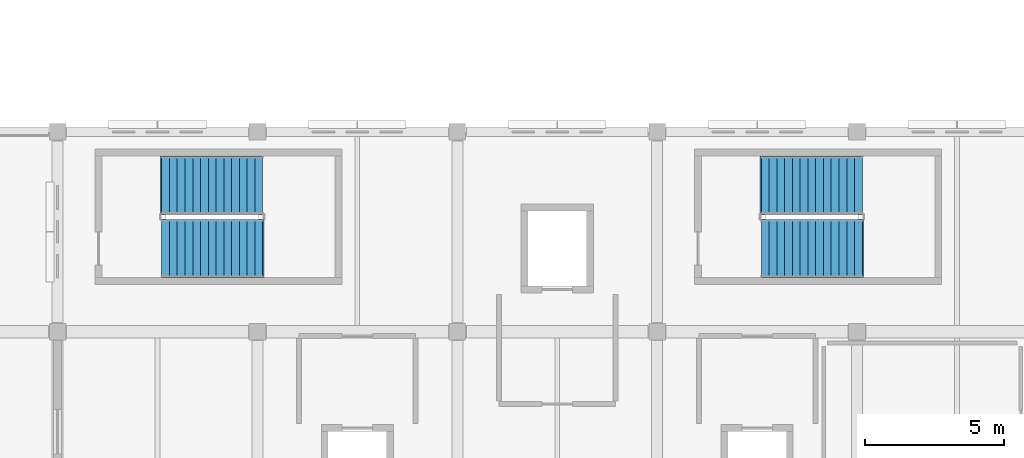
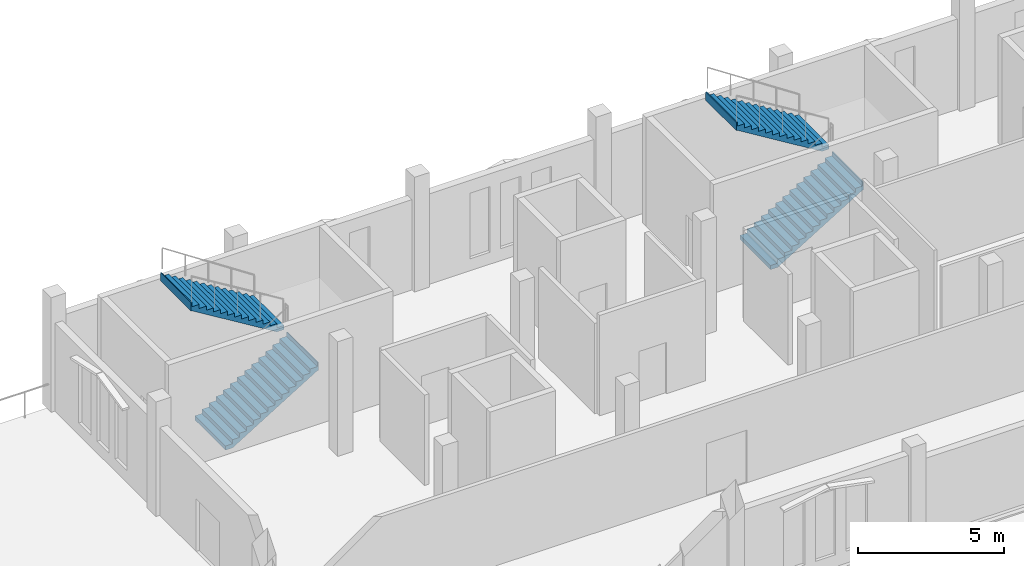
# One storey, part 14 of 23: 4 stair flights, 2 elements without a shape of their own.
"""IFC4 building model written with IfcOpenShell, lengths in metres."""

import ifcopenshell
import ifcopenshell.guid

model = None  # the IFC model being written
_history = None  # IfcOwnerHistory: only IFC2X3 demands one
_inside = {}  # id of a spatial element -> (the spatial element, [elements in it])
_under = {}  # id of a project, library or spatial element -> (it, [spatial elements below it])
_declared = {}  # id of a project -> (the project, [libraries it declares])
_typed = {}  # id of a type object -> (the type object, [elements of that type])
_made_of = {}  # id of a material, layer set ... -> (it, [elements and type objects made of it])


def new_model(schema):
    """Start an empty IFC model of exactly this schema.

    Asked for "IFC4X3", IfcOpenShell would pick the latest addendum, in which some entities
    have other attributes; the version numbers below select the first issue.
    IFC2X3 requires an IfcOwnerHistory on every rooted entity: one is made here for all.
    """
    global model, _history
    if schema == "IFC4X3":
        model = ifcopenshell.file(schema_version=(4, 3, 0, 0))
    else:
        model = ifcopenshell.file(schema=schema)
    _inside.clear()
    _under.clear()
    _declared.clear()
    _typed.clear()
    _made_of.clear()
    _history = None
    if model.schema == "IFC2X3":
        org = make("IfcOrganization", Name="unknown")
        user = make(
            "IfcPersonAndOrganization",
            ThePerson=make("IfcPerson", FamilyName="unknown"),
            TheOrganization=org,
        )
        app = make(
            "IfcApplication",
            ApplicationDeveloper=org,
            Version="unknown",
            ApplicationFullName="unknown",
            ApplicationIdentifier="unknown",
        )
        _history = make(
            "IfcOwnerHistory",
            OwningUser=user,
            OwningApplication=app,
            ChangeAction="ADDED",
            CreationDate=0,
        )
    return model


def make(cls, **values):
    """One entity of the class cls with the attributes given. An attribute that is None is left unset."""
    return model.create_entity(
        cls, **{name: value for name, value in values.items() if value is not None}
    )


def rooted(cls, **values):
    """An entity with a GlobalId (a new one), such as an element, a storey or a relation."""
    return make(cls, GlobalId=ifcopenshell.guid.new(), OwnerHistory=_history, **values)


def si_unit(unit_type, name, prefix=None):
    """IfcSIUnit, for example si_unit("LENGTHUNIT", "METRE", prefix="MILLI")."""
    return make("IfcSIUnit", UnitType=unit_type, Prefix=prefix, Name=name)


def assignment(units):
    """IfcUnitAssignment: the units of a project."""
    return None if units is None else make("IfcUnitAssignment", Units=units)


def point(xyz):
    """IfcCartesianPoint."""
    return None if xyz is None else make("IfcCartesianPoint", Coordinates=xyz)


def direction(xyz):
    """IfcDirection."""
    return None if xyz is None else make("IfcDirection", DirectionRatios=xyz)


def frame(location, z_axis=None, x_axis=None):
    """IfcAxis2Placement3D, a coordinate frame: its origin and axes. An axis left out is left unset."""
    return make(
        "IfcAxis2Placement3D",
        Location=point(location),
        Axis=direction(z_axis),
        RefDirection=direction(x_axis),
    )


def origin():
    """The frame at (0, 0, 0) with its axes left unset."""
    return frame((0.0, 0.0, 0.0))


def place(relative_to, where):
    """IfcLocalPlacement: puts the frame where relative to a parent placement (None: the world)."""
    return make(
        "IfcLocalPlacement", PlacementRelTo=relative_to, RelativePlacement=where
    )


def context(
    kind, dimensions, precision=None, world=None, true_north=None, identifier=None
):
    """IfcGeometricRepresentationContext, for example the 3D "Model" context."""
    return make(
        "IfcGeometricRepresentationContext",
        ContextIdentifier=identifier,
        ContextType=kind,
        CoordinateSpaceDimension=dimensions,
        Precision=precision,
        WorldCoordinateSystem=world,
        TrueNorth=true_north,
    )


def subcontext(parent, identifier, kind, view, scale=None):
    """IfcGeometricRepresentationSubContext, for example "Body" below "Model"."""
    return make(
        "IfcGeometricRepresentationSubContext",
        ContextIdentifier=identifier,
        ContextType=kind,
        ParentContext=parent,
        TargetScale=scale,
        TargetView=view,
    )


def project(units=None, contexts=None):
    """IfcProject with its units and contexts."""
    return rooted(
        "IfcProject",
        Name="project",
        RepresentationContexts=contexts,
        UnitsInContext=assignment(units),
    )


def spatial(cls, under=None, at=None, **own):
    """A site, building, storey or space (cls), placed at a placement, below another one or the project."""
    s = rooted(cls, ObjectPlacement=at, **own)
    if under is not None:
        _under.setdefault(under.id(), (under, []))[1].append(s)
    return s


def point_list(points):
    """IfcCartesianPointList2D or 3D."""
    cls = (
        "IfcCartesianPointList2D" if len(points[0]) == 2 else "IfcCartesianPointList3D"
    )
    return make(cls, CoordList=points)


def triangles(points, corners, closed=None, point_numbers=None):
    """IfcTriangulatedFaceSet: each triangle names its three corners, points numbered from 1."""
    return make(
        "IfcTriangulatedFaceSet",
        Coordinates=point_list(points),
        Closed=closed,
        CoordIndex=corners,
        PnIndex=point_numbers,
    )


def shape(context_of_items, identifier, shape_type, items):
    """IfcShapeRepresentation: the items that make up one representation, for example the "Body"."""
    return make(
        "IfcShapeRepresentation",
        ContextOfItems=context_of_items,
        RepresentationIdentifier=identifier,
        RepresentationType=shape_type,
        Items=items,
    )


def material(Name=None, Category=None):
    """IfcMaterial."""
    return make("IfcMaterial", Name=Name, Category=Category)


def made_of(thing, what):
    """Note that an element or type object is made of a material, layer set ...; save() writes the relation."""
    if what is not None:
        _made_of.setdefault(what.id(), (what, []))[1].append(thing)
    return thing


def type_object(cls, material=None, **own):
    """A type object (cls), such as IfcWallType, which elements share."""
    return made_of(rooted(cls, **own), material)


def element(
    cls,
    number,
    at=None,
    inside=None,
    cuts=None,
    type_object=None,
    material=None,
    context=None,
    identifier="Body",
    shape_type=None,
    held_by="IfcProductDefinitionShape",
    body=None,
    shapes=None,
    **own,
):
    """One element of the class cls, such as IfcWall. Its Tag is "e" and its number.

    at: its placement. inside: the storey or other place that contains it. cuts: it is an
    opening in that element (IfcRelVoidsElement). A single representation is given by context,
    identifier, shape_type and body (its items); several are given by shapes. held_by: the class
    of the entity that holds the representations. save() writes the other relations.
    """
    e = rooted(cls, Tag="e%d" % number, ObjectPlacement=at, **own)
    if body is not None:
        shapes = [shape(context, identifier, shape_type, body)]
    if shapes is not None:
        e.Representation = make(held_by, Representations=shapes)
    if inside is not None:
        _inside.setdefault(inside.id(), (inside, []))[1].append(e)
    if cuts is not None:
        rooted(
            "IfcRelVoidsElement", RelatingBuildingElement=cuts, RelatedOpeningElement=e
        )
    if type_object is not None:
        _typed.setdefault(type_object.id(), (type_object, []))[1].append(e)
    return made_of(e, material)


def aggregate(whole, parts):
    """IfcRelAggregates: a whole, such as a stair, and the parts it consists of."""
    return rooted("IfcRelAggregates", RelatingObject=whole, RelatedObjects=parts)


def save(model, path):
    """Write the relations noted so far, then the file.

    IfcRelAggregates (storeys below a building ...), IfcRelContainedInSpatialStructure (elements
    in a storey), IfcRelDefinesByType, IfcRelAssociatesMaterial and IfcRelDeclares: one each for
    every whole, place, type object, material and project.
    """
    for whole, parts in _under.values():
        aggregate(whole, parts)
    for where, things in _inside.values():
        rooted(
            "IfcRelContainedInSpatialStructure",
            RelatedElements=things,
            RelatingStructure=where,
        )
    for kind, things in _typed.values():
        rooted("IfcRelDefinesByType", RelatedObjects=things, RelatingType=kind)
    for what, things in _made_of.values():
        rooted("IfcRelAssociatesMaterial", RelatedObjects=things, RelatingMaterial=what)
    for by, libraries in _declared.values():
        rooted("IfcRelDeclares", RelatingContext=by, RelatedDefinitions=libraries)
    model.write(path)


model = new_model("IFC4")

# Units and contexts
model_context = context("Model", 3, precision=1e-05, world=origin(), true_north=direction((0.0, 1.0)))
body_context = subcontext(model_context, "Body", "Model", "MODEL_VIEW")
ifc_project = project(units=[si_unit("LENGTHUNIT", "METRE"), si_unit("AREAUNIT", "SQUARE_METRE"), si_unit("VOLUMEUNIT", "CUBIC_METRE"), si_unit("PLANEANGLEUNIT", "RADIAN"), si_unit("MASSUNIT", "GRAM", prefix="KILO")], contexts=[model_context])

# Site, building, storey
site_placement = place(None, origin())
site = spatial("IfcSite", under=ifc_project, at=site_placement, CompositionType="ELEMENT")
building_placement = place(site_placement, origin())
building = spatial("IfcBuilding", under=site, at=building_placement, Name="Cendralis Lancet Convention Centre", CompositionType="ELEMENT")
storey_placement = place(building_placement, frame((0.0, 0.0, 19.800048828125)))
storey = spatial("IfcBuildingStorey", under=building, at=storey_placement, Name="L04", CompositionType="ELEMENT", Elevation=19.800048828125)

# Stair, stair flights
ifc_material = material(Name="Concrete G35 (C35/45)", Category="concrete")
stair_type = type_object("IfcStairType", Name="ARC-ST-CORE", PredefinedType="HALF_TURN_STAIR", material=ifc_material)
stair_1_placement = place(storey_placement, origin())
stair_1 = element("IfcStair", 1, at=stair_1_placement, inside=storey, type_object=stair_type, Name="L04 Protected Exit Stair ST-13", PredefinedType="HALF_TURN_STAIR")
stair_flight_type = type_object("IfcStairFlightType", Name="ARC-SF-CORE", PredefinedType="STRAIGHT", material=ifc_material)
stair_flight_1_placement = place(storey_placement, frame((150.14990234375, 31.800048828125, 0.0), z_axis=(0.0, 0.0, 1.0), x_axis=(1.0, 0.0, 0.0)))
stair_flight_1 = element("IfcStairFlight", 2, at=stair_flight_1_placement, type_object=stair_flight_type, Name="ST-13 flight 1", NumberOfRisers=14, NumberOfTreads=13, PredefinedType="STRAIGHT", RiserHeight=0.171428571, TreadLength=0.28, context=body_context, shape_type="Tessellation", body=[
    triangles([(0.0, 0.0, 0.085714), (0.0, 1.050049, 0.0), (0.0, -1.050049, 0.0), (0.0, -1.050049, 0.171429), (0.0, 1.050049, 0.171429), (0.14, 0.0, 0.171429), (0.28, -1.050049, 0.171429), (0.28, 1.050049, 0.171429), (0.14, 0.0, 0.0), (0.28, -1.050049, 0.0), (0.28, 1.050049, 0.0), (0.28, 0.0, 0.257143), (0.28, -1.050049, 0.342857), (0.28, 1.050049, 0.342857), (0.283543, 0.0, 0.342857), (0.287085, -1.050049, 0.342857), (0.287085, 1.050049, 0.342857), (0.283543, 0.0, 0.0), (0.287085, -1.050049, 0.0), (0.287085, 1.050049, 0.0), (0.423543, 0.0, 0.342857), (0.56, -1.050049, 0.342857), (0.56, 1.050049, 0.342857), (0.423543, 0.0, 0.083545), (0.56, -1.050049, 0.167091), (0.56, 1.050049, 0.167091), (0.56, 0.0, 0.428572), (0.56, -1.050049, 0.514286), (0.56, 1.050049, 0.514286), (0.7, 0.0, 0.514286), (0.84, -1.050049, 0.514286), (0.84, 1.050049, 0.514286), (0.7, 0.0, 0.252806), (0.84, -1.050049, 0.33852), (0.84, 1.050049, 0.33852), (0.84, 0.0, 0.6), (0.84, -1.050049, 0.685714), (0.84, 1.050049, 0.685714), (0.98, 0.0, 0.685714), (1.12, -1.050049, 0.685714), (1.12, 1.050049, 0.685714), (0.98, 0.0, 0.424234), (1.12, -1.050049, 0.509948), (1.12, 1.050049, 0.509948), (1.12, 0.0, 0.771429), (1.12, -1.050049, 0.857143), (1.12, 1.050049, 0.857143), (1.26, 0.0, 0.857143), (1.4, -1.050049, 0.857143), (1.4, 1.050049, 0.857143), (1.26, 0.0, 0.595662), (1.4, -1.050049, 0.681377), (1.4, 1.050049, 0.681377), (1.4, 0.0, 0.942857), (1.4, -1.050049, 1.028571), (1.4, 1.050049, 1.028571), (1.54, 0.0, 1.028571), (1.68, -1.050049, 1.028571), (1.68, 1.050049, 1.028571), (1.54, 0.0, 0.767091), (1.68, -1.050049, 0.852805), (1.68, 1.050049, 0.852805), (1.68, 0.0, 1.114286), (1.68, -1.050049, 1.2), (1.68, 1.050049, 1.2), (1.82, 0.0, 1.2), (1.96, -1.050049, 1.2), (1.96, 1.050049, 1.2), (1.82, 0.0, 0.938519), (1.96, -1.050049, 1.024234), (1.96, 1.050049, 1.024234), (1.96, 0.0, 1.285715), (1.96, -1.050049, 1.371429), (1.96, 1.050049, 1.371429), (2.1, 0.0, 1.371429), (2.24, -1.050049, 1.371429), (2.24, 1.050049, 1.371429), (2.1, 0.0, 1.109948), (2.24, -1.050049, 1.195662), (2.24, 1.050049, 1.195662), (2.24, 0.0, 1.457143), (2.24, -1.050049, 1.542857), (2.24, 1.050049, 1.542857), (2.38, 0.0, 1.542857), (2.52, -1.050049, 1.542857), (2.52, 1.050049, 1.542857), (2.38, 0.0, 1.281376), (2.52, -1.050049, 1.367091), (2.52, 1.050049, 1.367091), (2.52, 0.0, 1.628572), (2.52, -1.050049, 1.714286), (2.52, 1.050049, 1.714286), (2.66, 0.0, 1.714286), (2.8, -1.050049, 1.714286), (2.8, 1.050049, 1.714286), (2.66, 0.0, 1.452806), (2.8, -1.050049, 1.53852), (2.8, 1.050049, 1.53852), (2.8, 0.0, 1.8), (2.8, -1.050049, 1.885714), (2.8, 1.050049, 1.885714), (2.94, 0.0, 1.885714), (3.08, -1.050049, 1.885714), (3.08, 1.050049, 1.885714), (2.94, 0.0, 1.624234), (3.08, -1.050049, 1.709948), (3.08, 1.050049, 1.709948), (3.08, 0.0, 1.971429), (3.08, -1.050049, 2.057143), (3.08, 1.050049, 2.057143), (3.22, 0.0, 2.057143), (3.36, -1.050049, 2.057143), (3.36, 1.050049, 2.057143), (3.22, 0.0, 1.795663), (3.36, -1.050049, 1.881377), (3.36, 1.050049, 1.881377), (3.36, 0.0, 2.142857), (3.36, -1.050049, 2.228571), (3.36, 1.050049, 2.228571), (3.5, 0.0, 2.228571), (3.64, -1.050049, 2.228571), (3.64, 1.050049, 2.228571), (3.5, 0.0, 1.967091), (3.64, -1.050049, 2.052805), (3.64, 1.050049, 2.052805), (3.64, 0.0, 2.314285), (3.64, -1.050049, 2.4), (3.64, 1.050049, 2.4), (3.66, 0.0, 2.4), (3.68, -1.050049, 2.4), (3.68, 1.050049, 2.4), (3.66, 0.0, 2.052805), (3.68, -1.050049, 2.052805), (3.68, 1.050049, 2.052805), (3.68, 0.0, 2.226403)], [[2, 3, 1], [3, 4, 1], [4, 5, 1], [5, 2, 1], [4, 7, 6], [7, 8, 6], [8, 5, 6], [5, 4, 6], [10, 3, 9], [3, 2, 9], [2, 11, 9], [11, 10, 9], [3, 10, 7], [3, 7, 4], [2, 8, 11], [2, 5, 8], [8, 7, 12], [7, 13, 12], [13, 14, 12], [14, 8, 12], [13, 16, 15], [16, 17, 15], [17, 14, 15], [14, 13, 15], [19, 10, 18], [10, 11, 18], [11, 20, 18], [20, 19, 18], [10, 19, 16], [10, 16, 7], [7, 16, 13], [11, 17, 20], [11, 8, 17], [8, 14, 17], [16, 22, 21], [22, 23, 21], [23, 17, 21], [17, 16, 21], [25, 19, 24], [19, 20, 24], [20, 26, 24], [26, 25, 24], [19, 25, 22], [19, 22, 16], [20, 23, 26], [20, 17, 23], [23, 22, 27], [22, 28, 27], [28, 29, 27], [29, 23, 27], [28, 31, 30], [31, 32, 30], [32, 29, 30], [29, 28, 30], [34, 25, 33], [25, 26, 33], [26, 35, 33], [35, 34, 33], [25, 34, 31], [25, 31, 22], [22, 31, 28], [26, 32, 35], [26, 23, 32], [23, 29, 32], [32, 31, 36], [31, 37, 36], [37, 38, 36], [38, 32, 36], [37, 40, 39], [40, 41, 39], [41, 38, 39], [38, 37, 39], [43, 34, 42], [34, 35, 42], [35, 44, 42], [44, 43, 42], [34, 43, 40], [34, 40, 31], [31, 40, 37], [35, 41, 44], [35, 32, 41], [32, 38, 41], [41, 40, 45], [40, 46, 45], [46, 47, 45], [47, 41, 45], [46, 49, 48], [49, 50, 48], [50, 47, 48], [47, 46, 48], [52, 43, 51], [43, 44, 51], [44, 53, 51], [53, 52, 51], [43, 52, 49], [43, 49, 40], [40, 49, 46], [44, 50, 53], [44, 41, 50], [41, 47, 50], [50, 49, 54], [49, 55, 54], [55, 56, 54], [56, 50, 54], [55, 58, 57], [58, 59, 57], [59, 56, 57], [56, 55, 57], [61, 52, 60], [52, 53, 60], [53, 62, 60], [62, 61, 60], [52, 61, 58], [52, 58, 49], [49, 58, 55], [53, 59, 62], [53, 50, 59], [50, 56, 59], [59, 58, 63], [58, 64, 63], [64, 65, 63], [65, 59, 63], [64, 67, 66], [67, 68, 66], [68, 65, 66], [65, 64, 66], [70, 61, 69], [61, 62, 69], [62, 71, 69], [71, 70, 69], [61, 70, 67], [61, 67, 58], [58, 67, 64], [62, 68, 71], [62, 59, 68], [59, 65, 68], [68, 67, 72], [67, 73, 72], [73, 74, 72], [74, 68, 72], [73, 76, 75], [76, 77, 75], [77, 74, 75], [74, 73, 75], [79, 70, 78], [70, 71, 78], [71, 80, 78], [80, 79, 78], [70, 79, 76], [70, 76, 67], [67, 76, 73], [71, 77, 80], [71, 68, 77], [68, 74, 77], [77, 76, 81], [76, 82, 81], [82, 83, 81], [83, 77, 81], [82, 85, 84], [85, 86, 84], [86, 83, 84], [83, 82, 84], [88, 79, 87], [79, 80, 87], [80, 89, 87], [89, 88, 87], [79, 88, 85], [79, 85, 76], [76, 85, 82], [80, 86, 89], [80, 77, 86], [77, 83, 86], [86, 85, 90], [85, 91, 90], [91, 92, 90], [92, 86, 90], [91, 94, 93], [94, 95, 93], [95, 92, 93], [92, 91, 93], [97, 88, 96], [88, 89, 96], [89, 98, 96], [98, 97, 96], [88, 97, 94], [88, 94, 85], [85, 94, 91], [89, 95, 98], [89, 86, 95], [86, 92, 95], [95, 94, 99], [94, 100, 99], [100, 101, 99], [101, 95, 99], [100, 103, 102], [103, 104, 102], [104, 101, 102], [101, 100, 102], [106, 97, 105], [97, 98, 105], [98, 107, 105], [107, 106, 105], [97, 106, 103], [97, 103, 94], [94, 103, 100], [98, 104, 107], [98, 95, 104], [95, 101, 104], [104, 103, 108], [103, 109, 108], [109, 110, 108], [110, 104, 108], [109, 112, 111], [112, 113, 111], [113, 110, 111], [110, 109, 111], [115, 106, 114], [106, 107, 114], [107, 116, 114], [116, 115, 114], [106, 115, 112], [106, 112, 103], [103, 112, 109], [107, 113, 116], [107, 104, 113], [104, 110, 113], [113, 112, 117], [112, 118, 117], [118, 119, 117], [119, 113, 117], [118, 121, 120], [121, 122, 120], [122, 119, 120], [119, 118, 120], [124, 115, 123], [115, 116, 123], [116, 125, 123], [125, 124, 123], [115, 124, 121], [115, 121, 112], [112, 121, 118], [116, 122, 125], [116, 113, 122], [113, 119, 122], [122, 121, 126], [121, 127, 126], [127, 128, 126], [128, 122, 126], [127, 130, 129], [130, 131, 129], [131, 128, 129], [128, 127, 129], [133, 124, 132], [124, 125, 132], [125, 134, 132], [134, 133, 132], [124, 133, 130], [124, 130, 121], [121, 130, 127], [125, 131, 134], [125, 122, 131], [122, 128, 131], [133, 134, 135], [134, 131, 135], [131, 130, 135], [130, 133, 135]], closed=True),
])
stair_flight_2_placement = place(storey_placement, frame((153.7900390625, 34.080078125, 2.39990234375), z_axis=(0.0, 0.0, 1.0), x_axis=(-1.0, 0.0, 0.0)))
stair_flight_2 = element("IfcStairFlight", 3, at=stair_flight_2_placement, type_object=stair_flight_type, Name="ST-13 flight 2", NumberOfRisers=14, NumberOfTreads=13, PredefinedType="STRAIGHT", RiserHeight=0.171428571, TreadLength=0.28, context=body_context, shape_type="Tessellation", body=[
    triangles([(0.0, 0.0, 0.085714), (0.0, 1.050049, 0.0), (0.0, -1.050049, 0.0), (0.0, -1.050049, 0.171429), (0.0, 1.050049, 0.171429), (0.14, 0.0, 0.171429), (0.28, -1.050049, 0.171429), (0.28, 1.050049, 0.171429), (0.14, 0.0, 0.0), (0.28, -1.050049, 0.0), (0.28, 1.050049, 0.0), (0.28, 0.0, 0.257143), (0.28, -1.050049, 0.342857), (0.28, 1.050049, 0.342857), (0.283543, 0.0, 0.342857), (0.287085, -1.050049, 0.342857), (0.287085, 1.050049, 0.342857), (0.283543, 0.0, 0.0), (0.287085, -1.050049, 0.0), (0.287085, 1.050049, 0.0), (0.423543, 0.0, 0.342857), (0.56, -1.050049, 0.342857), (0.56, 1.050049, 0.342857), (0.423543, 0.0, 0.083545), (0.56, -1.050049, 0.167091), (0.56, 1.050049, 0.167091), (0.56, 0.0, 0.428572), (0.56, -1.050049, 0.514286), (0.56, 1.050049, 0.514286), (0.7, 0.0, 0.514286), (0.84, -1.050049, 0.514286), (0.84, 1.050049, 0.514286), (0.7, 0.0, 0.252806), (0.84, -1.050049, 0.33852), (0.84, 1.050049, 0.33852), (0.84, 0.0, 0.6), (0.84, -1.050049, 0.685714), (0.84, 1.050049, 0.685714), (0.98, 0.0, 0.685714), (1.12, -1.050049, 0.685714), (1.12, 1.050049, 0.685714), (0.98, 0.0, 0.424234), (1.12, -1.050049, 0.509948), (1.12, 1.050049, 0.509948), (1.12, 0.0, 0.771429), (1.12, -1.050049, 0.857143), (1.12, 1.050049, 0.857143), (1.26, 0.0, 0.857143), (1.4, -1.050049, 0.857143), (1.4, 1.050049, 0.857143), (1.26, 0.0, 0.595662), (1.4, -1.050049, 0.681377), (1.4, 1.050049, 0.681377), (1.4, 0.0, 0.942857), (1.4, -1.050049, 1.028571), (1.4, 1.050049, 1.028571), (1.54, 0.0, 1.028571), (1.68, -1.050049, 1.028571), (1.68, 1.050049, 1.028571), (1.54, 0.0, 0.767091), (1.68, -1.050049, 0.852805), (1.68, 1.050049, 0.852805), (1.68, 0.0, 1.114286), (1.68, -1.050049, 1.2), (1.68, 1.050049, 1.2), (1.82, 0.0, 1.2), (1.96, -1.050049, 1.2), (1.96, 1.050049, 1.2), (1.82, 0.0, 0.938519), (1.96, -1.050049, 1.024234), (1.96, 1.050049, 1.024234), (1.96, 0.0, 1.285715), (1.96, -1.050049, 1.371429), (1.96, 1.050049, 1.371429), (2.1, 0.0, 1.371429), (2.24, -1.050049, 1.371429), (2.24, 1.050049, 1.371429), (2.1, 0.0, 1.109948), (2.24, -1.050049, 1.195662), (2.24, 1.050049, 1.195662), (2.24, 0.0, 1.457143), (2.24, -1.050049, 1.542857), (2.24, 1.050049, 1.542857), (2.38, 0.0, 1.542857), (2.52, -1.050049, 1.542857), (2.52, 1.050049, 1.542857), (2.38, 0.0, 1.281376), (2.52, -1.050049, 1.367091), (2.52, 1.050049, 1.367091), (2.52, 0.0, 1.628572), (2.52, -1.050049, 1.714286), (2.52, 1.050049, 1.714286), (2.66, 0.0, 1.714286), (2.8, -1.050049, 1.714286), (2.8, 1.050049, 1.714286), (2.66, 0.0, 1.452806), (2.8, -1.050049, 1.53852), (2.8, 1.050049, 1.53852), (2.8, 0.0, 1.8), (2.8, -1.050049, 1.885714), (2.8, 1.050049, 1.885714), (2.94, 0.0, 1.885714), (3.08, -1.050049, 1.885714), (3.08, 1.050049, 1.885714), (2.94, 0.0, 1.624234), (3.08, -1.050049, 1.709948), (3.08, 1.050049, 1.709948), (3.08, 0.0, 1.971429), (3.08, -1.050049, 2.057143), (3.08, 1.050049, 2.057143), (3.22, 0.0, 2.057143), (3.36, -1.050049, 2.057143), (3.36, 1.050049, 2.057143), (3.22, 0.0, 1.795663), (3.36, -1.050049, 1.881377), (3.36, 1.050049, 1.881377), (3.36, 0.0, 2.142857), (3.36, -1.050049, 2.228571), (3.36, 1.050049, 2.228571), (3.5, 0.0, 2.228571), (3.64, -1.050049, 2.228571), (3.64, 1.050049, 2.228571), (3.5, 0.0, 1.967091), (3.64, -1.050049, 2.052805), (3.64, 1.050049, 2.052805), (3.64, 0.0, 2.314285), (3.64, -1.050049, 2.4), (3.64, 1.050049, 2.4), (3.66, 0.0, 2.4), (3.68, -1.050049, 2.4), (3.68, 1.050049, 2.4), (3.66, 0.0, 2.052805), (3.68, -1.050049, 2.052805), (3.68, 1.050049, 2.052805), (3.68, 0.0, 2.226403)], [[2, 3, 1], [3, 4, 1], [4, 5, 1], [5, 2, 1], [4, 7, 6], [7, 8, 6], [8, 5, 6], [5, 4, 6], [10, 3, 9], [3, 2, 9], [2, 11, 9], [11, 10, 9], [3, 10, 7], [3, 7, 4], [2, 8, 11], [2, 5, 8], [8, 7, 12], [7, 13, 12], [13, 14, 12], [14, 8, 12], [13, 16, 15], [16, 17, 15], [17, 14, 15], [14, 13, 15], [19, 10, 18], [10, 11, 18], [11, 20, 18], [20, 19, 18], [10, 19, 16], [10, 16, 7], [7, 16, 13], [11, 17, 20], [11, 8, 17], [8, 14, 17], [16, 22, 21], [22, 23, 21], [23, 17, 21], [17, 16, 21], [25, 19, 24], [19, 20, 24], [20, 26, 24], [26, 25, 24], [19, 25, 22], [19, 22, 16], [20, 23, 26], [20, 17, 23], [23, 22, 27], [22, 28, 27], [28, 29, 27], [29, 23, 27], [28, 31, 30], [31, 32, 30], [32, 29, 30], [29, 28, 30], [34, 25, 33], [25, 26, 33], [26, 35, 33], [35, 34, 33], [25, 34, 31], [25, 31, 22], [22, 31, 28], [26, 32, 35], [26, 23, 32], [23, 29, 32], [32, 31, 36], [31, 37, 36], [37, 38, 36], [38, 32, 36], [37, 40, 39], [40, 41, 39], [41, 38, 39], [38, 37, 39], [43, 34, 42], [34, 35, 42], [35, 44, 42], [44, 43, 42], [34, 43, 40], [34, 40, 31], [31, 40, 37], [35, 41, 44], [35, 32, 41], [32, 38, 41], [41, 40, 45], [40, 46, 45], [46, 47, 45], [47, 41, 45], [46, 49, 48], [49, 50, 48], [50, 47, 48], [47, 46, 48], [52, 43, 51], [43, 44, 51], [44, 53, 51], [53, 52, 51], [43, 52, 49], [43, 49, 40], [40, 49, 46], [44, 50, 53], [44, 41, 50], [41, 47, 50], [50, 49, 54], [49, 55, 54], [55, 56, 54], [56, 50, 54], [55, 58, 57], [58, 59, 57], [59, 56, 57], [56, 55, 57], [61, 52, 60], [52, 53, 60], [53, 62, 60], [62, 61, 60], [52, 61, 58], [52, 58, 49], [49, 58, 55], [53, 59, 62], [53, 50, 59], [50, 56, 59], [59, 58, 63], [58, 64, 63], [64, 65, 63], [65, 59, 63], [64, 67, 66], [67, 68, 66], [68, 65, 66], [65, 64, 66], [70, 61, 69], [61, 62, 69], [62, 71, 69], [71, 70, 69], [61, 70, 67], [61, 67, 58], [58, 67, 64], [62, 68, 71], [62, 59, 68], [59, 65, 68], [68, 67, 72], [67, 73, 72], [73, 74, 72], [74, 68, 72], [73, 76, 75], [76, 77, 75], [77, 74, 75], [74, 73, 75], [79, 70, 78], [70, 71, 78], [71, 80, 78], [80, 79, 78], [70, 79, 76], [70, 76, 67], [67, 76, 73], [71, 77, 80], [71, 68, 77], [68, 74, 77], [77, 76, 81], [76, 82, 81], [82, 83, 81], [83, 77, 81], [82, 85, 84], [85, 86, 84], [86, 83, 84], [83, 82, 84], [88, 79, 87], [79, 80, 87], [80, 89, 87], [89, 88, 87], [79, 88, 85], [79, 85, 76], [76, 85, 82], [80, 86, 89], [80, 77, 86], [77, 83, 86], [86, 85, 90], [85, 91, 90], [91, 92, 90], [92, 86, 90], [91, 94, 93], [94, 95, 93], [95, 92, 93], [92, 91, 93], [97, 88, 96], [88, 89, 96], [89, 98, 96], [98, 97, 96], [88, 97, 94], [88, 94, 85], [85, 94, 91], [89, 95, 98], [89, 86, 95], [86, 92, 95], [95, 94, 99], [94, 100, 99], [100, 101, 99], [101, 95, 99], [100, 103, 102], [103, 104, 102], [104, 101, 102], [101, 100, 102], [106, 97, 105], [97, 98, 105], [98, 107, 105], [107, 106, 105], [97, 106, 103], [97, 103, 94], [94, 103, 100], [98, 104, 107], [98, 95, 104], [95, 101, 104], [104, 103, 108], [103, 109, 108], [109, 110, 108], [110, 104, 108], [109, 112, 111], [112, 113, 111], [113, 110, 111], [110, 109, 111], [115, 106, 114], [106, 107, 114], [107, 116, 114], [116, 115, 114], [106, 115, 112], [106, 112, 103], [103, 112, 109], [107, 113, 116], [107, 104, 113], [104, 110, 113], [113, 112, 117], [112, 118, 117], [118, 119, 117], [119, 113, 117], [118, 121, 120], [121, 122, 120], [122, 119, 120], [119, 118, 120], [124, 115, 123], [115, 116, 123], [116, 125, 123], [125, 124, 123], [115, 124, 121], [115, 121, 112], [112, 121, 118], [116, 122, 125], [116, 113, 122], [113, 119, 122], [122, 121, 126], [121, 127, 126], [127, 128, 126], [128, 122, 126], [127, 130, 129], [130, 131, 129], [131, 128, 129], [128, 127, 129], [133, 124, 132], [124, 125, 132], [125, 134, 132], [134, 133, 132], [124, 133, 130], [124, 130, 121], [121, 130, 127], [125, 131, 134], [125, 122, 131], [122, 128, 131], [133, 134, 135], [134, 131, 135], [131, 130, 135], [130, 133, 135]], closed=True),
])
aggregate(stair_1, [stair_flight_1, stair_flight_2])

stair_2_placement = place(storey_placement, origin())
stair_2 = element("IfcStair", 4, at=stair_2_placement, inside=storey, type_object=stair_type, Name="L04 Protected Exit Stair ST-14", PredefinedType="HALF_TURN_STAIR")
stair_flight_3_placement = place(storey_placement, frame((171.75, 31.800048828125, 0.0), z_axis=(0.0, 0.0, 1.0), x_axis=(1.0, 0.0, 0.0)))
stair_flight_3 = element("IfcStairFlight", 5, at=stair_flight_3_placement, type_object=stair_flight_type, Name="ST-14 flight 1", NumberOfRisers=14, NumberOfTreads=13, PredefinedType="STRAIGHT", RiserHeight=0.171428571, TreadLength=0.28, context=body_context, shape_type="Tessellation", body=[
    triangles([(0.0, 0.0, 0.085714), (0.0, 1.050049, 0.0), (0.0, -1.050049, 0.0), (0.0, -1.050049, 0.171429), (0.0, 1.050049, 0.171429), (0.14, 0.0, 0.171429), (0.28, -1.050049, 0.171429), (0.28, 1.050049, 0.171429), (0.14, 0.0, 0.0), (0.28, -1.050049, 0.0), (0.28, 1.050049, 0.0), (0.28, 0.0, 0.257143), (0.28, -1.050049, 0.342857), (0.28, 1.050049, 0.342857), (0.283543, 0.0, 0.342857), (0.287085, -1.050049, 0.342857), (0.287085, 1.050049, 0.342857), (0.283543, 0.0, 0.0), (0.287085, -1.050049, 0.0), (0.287085, 1.050049, 0.0), (0.423543, 0.0, 0.342857), (0.56, -1.050049, 0.342857), (0.56, 1.050049, 0.342857), (0.423543, 0.0, 0.083545), (0.56, -1.050049, 0.167091), (0.56, 1.050049, 0.167091), (0.56, 0.0, 0.428572), (0.56, -1.050049, 0.514286), (0.56, 1.050049, 0.514286), (0.7, 0.0, 0.514286), (0.84, -1.050049, 0.514286), (0.84, 1.050049, 0.514286), (0.7, 0.0, 0.252806), (0.84, -1.050049, 0.33852), (0.84, 1.050049, 0.33852), (0.84, 0.0, 0.6), (0.84, -1.050049, 0.685714), (0.84, 1.050049, 0.685714), (0.98, 0.0, 0.685714), (1.12, -1.050049, 0.685714), (1.12, 1.050049, 0.685714), (0.98, 0.0, 0.424234), (1.12, -1.050049, 0.509948), (1.12, 1.050049, 0.509948), (1.12, 0.0, 0.771429), (1.12, -1.050049, 0.857143), (1.12, 1.050049, 0.857143), (1.26, 0.0, 0.857143), (1.4, -1.050049, 0.857143), (1.4, 1.050049, 0.857143), (1.26, 0.0, 0.595662), (1.4, -1.050049, 0.681377), (1.4, 1.050049, 0.681377), (1.4, 0.0, 0.942857), (1.4, -1.050049, 1.028571), (1.4, 1.050049, 1.028571), (1.54, 0.0, 1.028571), (1.68, -1.050049, 1.028571), (1.68, 1.050049, 1.028571), (1.54, 0.0, 0.767091), (1.68, -1.050049, 0.852805), (1.68, 1.050049, 0.852805), (1.68, 0.0, 1.114286), (1.68, -1.050049, 1.2), (1.68, 1.050049, 1.2), (1.82, 0.0, 1.2), (1.96, -1.050049, 1.2), (1.96, 1.050049, 1.2), (1.82, 0.0, 0.938519), (1.96, -1.050049, 1.024234), (1.96, 1.050049, 1.024234), (1.96, 0.0, 1.285715), (1.96, -1.050049, 1.371429), (1.96, 1.050049, 1.371429), (2.1, 0.0, 1.371429), (2.24, -1.050049, 1.371429), (2.24, 1.050049, 1.371429), (2.1, 0.0, 1.109948), (2.24, -1.050049, 1.195662), (2.24, 1.050049, 1.195662), (2.24, 0.0, 1.457143), (2.24, -1.050049, 1.542857), (2.24, 1.050049, 1.542857), (2.38, 0.0, 1.542857), (2.52, -1.050049, 1.542857), (2.52, 1.050049, 1.542857), (2.38, 0.0, 1.281376), (2.52, -1.050049, 1.367091), (2.52, 1.050049, 1.367091), (2.52, 0.0, 1.628572), (2.52, -1.050049, 1.714286), (2.52, 1.050049, 1.714286), (2.66, 0.0, 1.714286), (2.8, -1.050049, 1.714286), (2.8, 1.050049, 1.714286), (2.66, 0.0, 1.452806), (2.8, -1.050049, 1.53852), (2.8, 1.050049, 1.53852), (2.8, 0.0, 1.8), (2.8, -1.050049, 1.885714), (2.8, 1.050049, 1.885714), (2.94, 0.0, 1.885714), (3.08, -1.050049, 1.885714), (3.08, 1.050049, 1.885714), (2.94, 0.0, 1.624234), (3.08, -1.050049, 1.709948), (3.08, 1.050049, 1.709948), (3.08, 0.0, 1.971429), (3.08, -1.050049, 2.057143), (3.08, 1.050049, 2.057143), (3.22, 0.0, 2.057143), (3.36, -1.050049, 2.057143), (3.36, 1.050049, 2.057143), (3.22, 0.0, 1.795663), (3.36, -1.050049, 1.881377), (3.36, 1.050049, 1.881377), (3.36, 0.0, 2.142857), (3.36, -1.050049, 2.228571), (3.36, 1.050049, 2.228571), (3.5, 0.0, 2.228571), (3.64, -1.050049, 2.228571), (3.64, 1.050049, 2.228571), (3.5, 0.0, 1.967091), (3.64, -1.050049, 2.052805), (3.64, 1.050049, 2.052805), (3.64, 0.0, 2.314285), (3.64, -1.050049, 2.4), (3.64, 1.050049, 2.4), (3.66, 0.0, 2.4), (3.68, -1.050049, 2.4), (3.68, 1.050049, 2.4), (3.66, 0.0, 2.052805), (3.68, -1.050049, 2.052805), (3.68, 1.050049, 2.052805), (3.68, 0.0, 2.226403)], [[2, 3, 1], [3, 4, 1], [4, 5, 1], [5, 2, 1], [4, 7, 6], [7, 8, 6], [8, 5, 6], [5, 4, 6], [10, 3, 9], [3, 2, 9], [2, 11, 9], [11, 10, 9], [3, 10, 7], [3, 7, 4], [2, 8, 11], [2, 5, 8], [8, 7, 12], [7, 13, 12], [13, 14, 12], [14, 8, 12], [13, 16, 15], [16, 17, 15], [17, 14, 15], [14, 13, 15], [19, 10, 18], [10, 11, 18], [11, 20, 18], [20, 19, 18], [10, 19, 16], [10, 16, 7], [7, 16, 13], [11, 17, 20], [11, 8, 17], [8, 14, 17], [16, 22, 21], [22, 23, 21], [23, 17, 21], [17, 16, 21], [25, 19, 24], [19, 20, 24], [20, 26, 24], [26, 25, 24], [19, 25, 22], [19, 22, 16], [20, 23, 26], [20, 17, 23], [23, 22, 27], [22, 28, 27], [28, 29, 27], [29, 23, 27], [28, 31, 30], [31, 32, 30], [32, 29, 30], [29, 28, 30], [34, 25, 33], [25, 26, 33], [26, 35, 33], [35, 34, 33], [25, 34, 31], [25, 31, 22], [22, 31, 28], [26, 32, 35], [26, 23, 32], [23, 29, 32], [32, 31, 36], [31, 37, 36], [37, 38, 36], [38, 32, 36], [37, 40, 39], [40, 41, 39], [41, 38, 39], [38, 37, 39], [43, 34, 42], [34, 35, 42], [35, 44, 42], [44, 43, 42], [34, 43, 40], [34, 40, 31], [31, 40, 37], [35, 41, 44], [35, 32, 41], [32, 38, 41], [41, 40, 45], [40, 46, 45], [46, 47, 45], [47, 41, 45], [46, 49, 48], [49, 50, 48], [50, 47, 48], [47, 46, 48], [52, 43, 51], [43, 44, 51], [44, 53, 51], [53, 52, 51], [43, 52, 49], [43, 49, 40], [40, 49, 46], [44, 50, 53], [44, 41, 50], [41, 47, 50], [50, 49, 54], [49, 55, 54], [55, 56, 54], [56, 50, 54], [55, 58, 57], [58, 59, 57], [59, 56, 57], [56, 55, 57], [61, 52, 60], [52, 53, 60], [53, 62, 60], [62, 61, 60], [52, 61, 58], [52, 58, 49], [49, 58, 55], [53, 59, 62], [53, 50, 59], [50, 56, 59], [59, 58, 63], [58, 64, 63], [64, 65, 63], [65, 59, 63], [64, 67, 66], [67, 68, 66], [68, 65, 66], [65, 64, 66], [70, 61, 69], [61, 62, 69], [62, 71, 69], [71, 70, 69], [61, 70, 67], [61, 67, 58], [58, 67, 64], [62, 68, 71], [62, 59, 68], [59, 65, 68], [68, 67, 72], [67, 73, 72], [73, 74, 72], [74, 68, 72], [73, 76, 75], [76, 77, 75], [77, 74, 75], [74, 73, 75], [79, 70, 78], [70, 71, 78], [71, 80, 78], [80, 79, 78], [70, 79, 76], [70, 76, 67], [67, 76, 73], [71, 77, 80], [71, 68, 77], [68, 74, 77], [77, 76, 81], [76, 82, 81], [82, 83, 81], [83, 77, 81], [82, 85, 84], [85, 86, 84], [86, 83, 84], [83, 82, 84], [88, 79, 87], [79, 80, 87], [80, 89, 87], [89, 88, 87], [79, 88, 85], [79, 85, 76], [76, 85, 82], [80, 86, 89], [80, 77, 86], [77, 83, 86], [86, 85, 90], [85, 91, 90], [91, 92, 90], [92, 86, 90], [91, 94, 93], [94, 95, 93], [95, 92, 93], [92, 91, 93], [97, 88, 96], [88, 89, 96], [89, 98, 96], [98, 97, 96], [88, 97, 94], [88, 94, 85], [85, 94, 91], [89, 95, 98], [89, 86, 95], [86, 92, 95], [95, 94, 99], [94, 100, 99], [100, 101, 99], [101, 95, 99], [100, 103, 102], [103, 104, 102], [104, 101, 102], [101, 100, 102], [106, 97, 105], [97, 98, 105], [98, 107, 105], [107, 106, 105], [97, 106, 103], [97, 103, 94], [94, 103, 100], [98, 104, 107], [98, 95, 104], [95, 101, 104], [104, 103, 108], [103, 109, 108], [109, 110, 108], [110, 104, 108], [109, 112, 111], [112, 113, 111], [113, 110, 111], [110, 109, 111], [115, 106, 114], [106, 107, 114], [107, 116, 114], [116, 115, 114], [106, 115, 112], [106, 112, 103], [103, 112, 109], [107, 113, 116], [107, 104, 113], [104, 110, 113], [113, 112, 117], [112, 118, 117], [118, 119, 117], [119, 113, 117], [118, 121, 120], [121, 122, 120], [122, 119, 120], [119, 118, 120], [124, 115, 123], [115, 116, 123], [116, 125, 123], [125, 124, 123], [115, 124, 121], [115, 121, 112], [112, 121, 118], [116, 122, 125], [116, 113, 122], [113, 119, 122], [122, 121, 126], [121, 127, 126], [127, 128, 126], [128, 122, 126], [127, 130, 129], [130, 131, 129], [131, 128, 129], [128, 127, 129], [133, 124, 132], [124, 125, 132], [125, 134, 132], [134, 133, 132], [124, 133, 130], [124, 130, 121], [121, 130, 127], [125, 131, 134], [125, 122, 131], [122, 128, 131], [133, 134, 135], [134, 131, 135], [131, 130, 135], [130, 133, 135]], closed=True),
])
stair_flight_4_placement = place(storey_placement, frame((175.389892578125, 34.080078125, 2.39990234375), z_axis=(0.0, 0.0, 1.0), x_axis=(-1.0, 0.0, 0.0)))
stair_flight_4 = element("IfcStairFlight", 6, at=stair_flight_4_placement, type_object=stair_flight_type, Name="ST-14 flight 2", NumberOfRisers=14, NumberOfTreads=13, PredefinedType="STRAIGHT", RiserHeight=0.171428571, TreadLength=0.28, context=body_context, shape_type="Tessellation", body=[
    triangles([(0.0, 0.0, 0.085714), (0.0, 1.050049, 0.0), (0.0, -1.050049, 0.0), (0.0, -1.050049, 0.171429), (0.0, 1.050049, 0.171429), (0.14, 0.0, 0.171429), (0.28, -1.050049, 0.171429), (0.28, 1.050049, 0.171429), (0.14, 0.0, 0.0), (0.28, -1.050049, 0.0), (0.28, 1.050049, 0.0), (0.28, 0.0, 0.257143), (0.28, -1.050049, 0.342857), (0.28, 1.050049, 0.342857), (0.283543, 0.0, 0.342857), (0.287085, -1.050049, 0.342857), (0.287085, 1.050049, 0.342857), (0.283543, 0.0, 0.0), (0.287085, -1.050049, 0.0), (0.287085, 1.050049, 0.0), (0.423543, 0.0, 0.342857), (0.56, -1.050049, 0.342857), (0.56, 1.050049, 0.342857), (0.423543, 0.0, 0.083545), (0.56, -1.050049, 0.167091), (0.56, 1.050049, 0.167091), (0.56, 0.0, 0.428572), (0.56, -1.050049, 0.514286), (0.56, 1.050049, 0.514286), (0.7, 0.0, 0.514286), (0.84, -1.050049, 0.514286), (0.84, 1.050049, 0.514286), (0.7, 0.0, 0.252806), (0.84, -1.050049, 0.33852), (0.84, 1.050049, 0.33852), (0.84, 0.0, 0.6), (0.84, -1.050049, 0.685714), (0.84, 1.050049, 0.685714), (0.98, 0.0, 0.685714), (1.12, -1.050049, 0.685714), (1.12, 1.050049, 0.685714), (0.98, 0.0, 0.424234), (1.12, -1.050049, 0.509948), (1.12, 1.050049, 0.509948), (1.12, 0.0, 0.771429), (1.12, -1.050049, 0.857143), (1.12, 1.050049, 0.857143), (1.26, 0.0, 0.857143), (1.4, -1.050049, 0.857143), (1.4, 1.050049, 0.857143), (1.26, 0.0, 0.595662), (1.4, -1.050049, 0.681377), (1.4, 1.050049, 0.681377), (1.4, 0.0, 0.942857), (1.4, -1.050049, 1.028571), (1.4, 1.050049, 1.028571), (1.54, 0.0, 1.028571), (1.68, -1.050049, 1.028571), (1.68, 1.050049, 1.028571), (1.54, 0.0, 0.767091), (1.68, -1.050049, 0.852805), (1.68, 1.050049, 0.852805), (1.68, 0.0, 1.114286), (1.68, -1.050049, 1.2), (1.68, 1.050049, 1.2), (1.82, 0.0, 1.2), (1.96, -1.050049, 1.2), (1.96, 1.050049, 1.2), (1.82, 0.0, 0.938519), (1.96, -1.050049, 1.024234), (1.96, 1.050049, 1.024234), (1.96, 0.0, 1.285715), (1.96, -1.050049, 1.371429), (1.96, 1.050049, 1.371429), (2.1, 0.0, 1.371429), (2.24, -1.050049, 1.371429), (2.24, 1.050049, 1.371429), (2.1, 0.0, 1.109948), (2.24, -1.050049, 1.195662), (2.24, 1.050049, 1.195662), (2.24, 0.0, 1.457143), (2.24, -1.050049, 1.542857), (2.24, 1.050049, 1.542857), (2.38, 0.0, 1.542857), (2.52, -1.050049, 1.542857), (2.52, 1.050049, 1.542857), (2.38, 0.0, 1.281376), (2.52, -1.050049, 1.367091), (2.52, 1.050049, 1.367091), (2.52, 0.0, 1.628572), (2.52, -1.050049, 1.714286), (2.52, 1.050049, 1.714286), (2.66, 0.0, 1.714286), (2.8, -1.050049, 1.714286), (2.8, 1.050049, 1.714286), (2.66, 0.0, 1.452806), (2.8, -1.050049, 1.53852), (2.8, 1.050049, 1.53852), (2.8, 0.0, 1.8), (2.8, -1.050049, 1.885714), (2.8, 1.050049, 1.885714), (2.94, 0.0, 1.885714), (3.08, -1.050049, 1.885714), (3.08, 1.050049, 1.885714), (2.94, 0.0, 1.624234), (3.08, -1.050049, 1.709948), (3.08, 1.050049, 1.709948), (3.08, 0.0, 1.971429), (3.08, -1.050049, 2.057143), (3.08, 1.050049, 2.057143), (3.22, 0.0, 2.057143), (3.36, -1.050049, 2.057143), (3.36, 1.050049, 2.057143), (3.22, 0.0, 1.795663), (3.36, -1.050049, 1.881377), (3.36, 1.050049, 1.881377), (3.36, 0.0, 2.142857), (3.36, -1.050049, 2.228571), (3.36, 1.050049, 2.228571), (3.5, 0.0, 2.228571), (3.64, -1.050049, 2.228571), (3.64, 1.050049, 2.228571), (3.5, 0.0, 1.967091), (3.64, -1.050049, 2.052805), (3.64, 1.050049, 2.052805), (3.64, 0.0, 2.314285), (3.64, -1.050049, 2.4), (3.64, 1.050049, 2.4), (3.66, 0.0, 2.4), (3.68, -1.050049, 2.4), (3.68, 1.050049, 2.4), (3.66, 0.0, 2.052805), (3.68, -1.050049, 2.052805), (3.68, 1.050049, 2.052805), (3.68, 0.0, 2.226403)], [[2, 3, 1], [3, 4, 1], [4, 5, 1], [5, 2, 1], [4, 7, 6], [7, 8, 6], [8, 5, 6], [5, 4, 6], [10, 3, 9], [3, 2, 9], [2, 11, 9], [11, 10, 9], [3, 10, 7], [3, 7, 4], [2, 8, 11], [2, 5, 8], [8, 7, 12], [7, 13, 12], [13, 14, 12], [14, 8, 12], [13, 16, 15], [16, 17, 15], [17, 14, 15], [14, 13, 15], [19, 10, 18], [10, 11, 18], [11, 20, 18], [20, 19, 18], [10, 19, 16], [10, 16, 7], [7, 16, 13], [11, 17, 20], [11, 8, 17], [8, 14, 17], [16, 22, 21], [22, 23, 21], [23, 17, 21], [17, 16, 21], [25, 19, 24], [19, 20, 24], [20, 26, 24], [26, 25, 24], [19, 25, 22], [19, 22, 16], [20, 23, 26], [20, 17, 23], [23, 22, 27], [22, 28, 27], [28, 29, 27], [29, 23, 27], [28, 31, 30], [31, 32, 30], [32, 29, 30], [29, 28, 30], [34, 25, 33], [25, 26, 33], [26, 35, 33], [35, 34, 33], [25, 34, 31], [25, 31, 22], [22, 31, 28], [26, 32, 35], [26, 23, 32], [23, 29, 32], [32, 31, 36], [31, 37, 36], [37, 38, 36], [38, 32, 36], [37, 40, 39], [40, 41, 39], [41, 38, 39], [38, 37, 39], [43, 34, 42], [34, 35, 42], [35, 44, 42], [44, 43, 42], [34, 43, 40], [34, 40, 31], [31, 40, 37], [35, 41, 44], [35, 32, 41], [32, 38, 41], [41, 40, 45], [40, 46, 45], [46, 47, 45], [47, 41, 45], [46, 49, 48], [49, 50, 48], [50, 47, 48], [47, 46, 48], [52, 43, 51], [43, 44, 51], [44, 53, 51], [53, 52, 51], [43, 52, 49], [43, 49, 40], [40, 49, 46], [44, 50, 53], [44, 41, 50], [41, 47, 50], [50, 49, 54], [49, 55, 54], [55, 56, 54], [56, 50, 54], [55, 58, 57], [58, 59, 57], [59, 56, 57], [56, 55, 57], [61, 52, 60], [52, 53, 60], [53, 62, 60], [62, 61, 60], [52, 61, 58], [52, 58, 49], [49, 58, 55], [53, 59, 62], [53, 50, 59], [50, 56, 59], [59, 58, 63], [58, 64, 63], [64, 65, 63], [65, 59, 63], [64, 67, 66], [67, 68, 66], [68, 65, 66], [65, 64, 66], [70, 61, 69], [61, 62, 69], [62, 71, 69], [71, 70, 69], [61, 70, 67], [61, 67, 58], [58, 67, 64], [62, 68, 71], [62, 59, 68], [59, 65, 68], [68, 67, 72], [67, 73, 72], [73, 74, 72], [74, 68, 72], [73, 76, 75], [76, 77, 75], [77, 74, 75], [74, 73, 75], [79, 70, 78], [70, 71, 78], [71, 80, 78], [80, 79, 78], [70, 79, 76], [70, 76, 67], [67, 76, 73], [71, 77, 80], [71, 68, 77], [68, 74, 77], [77, 76, 81], [76, 82, 81], [82, 83, 81], [83, 77, 81], [82, 85, 84], [85, 86, 84], [86, 83, 84], [83, 82, 84], [88, 79, 87], [79, 80, 87], [80, 89, 87], [89, 88, 87], [79, 88, 85], [79, 85, 76], [76, 85, 82], [80, 86, 89], [80, 77, 86], [77, 83, 86], [86, 85, 90], [85, 91, 90], [91, 92, 90], [92, 86, 90], [91, 94, 93], [94, 95, 93], [95, 92, 93], [92, 91, 93], [97, 88, 96], [88, 89, 96], [89, 98, 96], [98, 97, 96], [88, 97, 94], [88, 94, 85], [85, 94, 91], [89, 95, 98], [89, 86, 95], [86, 92, 95], [95, 94, 99], [94, 100, 99], [100, 101, 99], [101, 95, 99], [100, 103, 102], [103, 104, 102], [104, 101, 102], [101, 100, 102], [106, 97, 105], [97, 98, 105], [98, 107, 105], [107, 106, 105], [97, 106, 103], [97, 103, 94], [94, 103, 100], [98, 104, 107], [98, 95, 104], [95, 101, 104], [104, 103, 108], [103, 109, 108], [109, 110, 108], [110, 104, 108], [109, 112, 111], [112, 113, 111], [113, 110, 111], [110, 109, 111], [115, 106, 114], [106, 107, 114], [107, 116, 114], [116, 115, 114], [106, 115, 112], [106, 112, 103], [103, 112, 109], [107, 113, 116], [107, 104, 113], [104, 110, 113], [113, 112, 117], [112, 118, 117], [118, 119, 117], [119, 113, 117], [118, 121, 120], [121, 122, 120], [122, 119, 120], [119, 118, 120], [124, 115, 123], [115, 116, 123], [116, 125, 123], [125, 124, 123], [115, 124, 121], [115, 121, 112], [112, 121, 118], [116, 122, 125], [116, 113, 122], [113, 119, 122], [122, 121, 126], [121, 127, 126], [127, 128, 126], [128, 122, 126], [127, 130, 129], [130, 131, 129], [131, 128, 129], [128, 127, 129], [133, 124, 132], [124, 125, 132], [125, 134, 132], [134, 133, 132], [124, 133, 130], [124, 130, 121], [121, 130, 127], [125, 131, 134], [125, 122, 131], [122, 128, 131], [133, 134, 135], [134, 131, 135], [131, 130, 135], [130, 133, 135]], closed=True),
])
aggregate(stair_2, [stair_flight_3, stair_flight_4])

save(model, "model.ifc")
